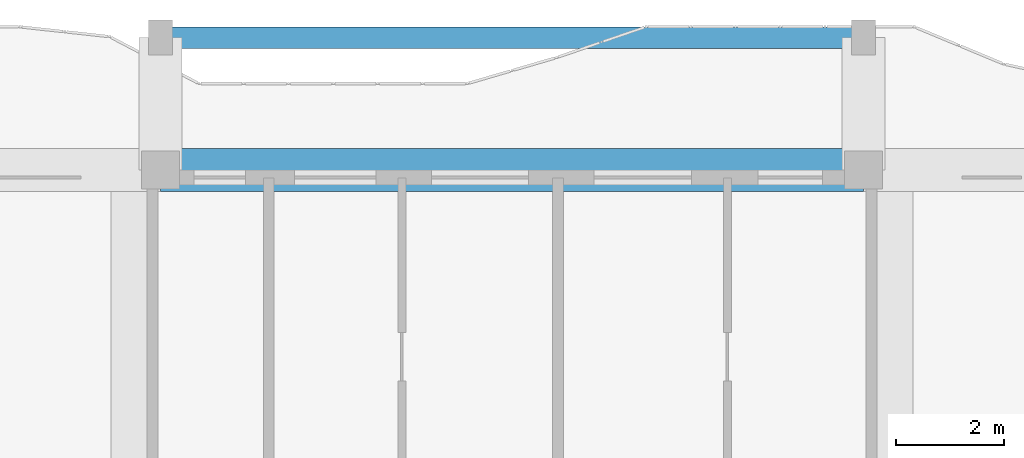
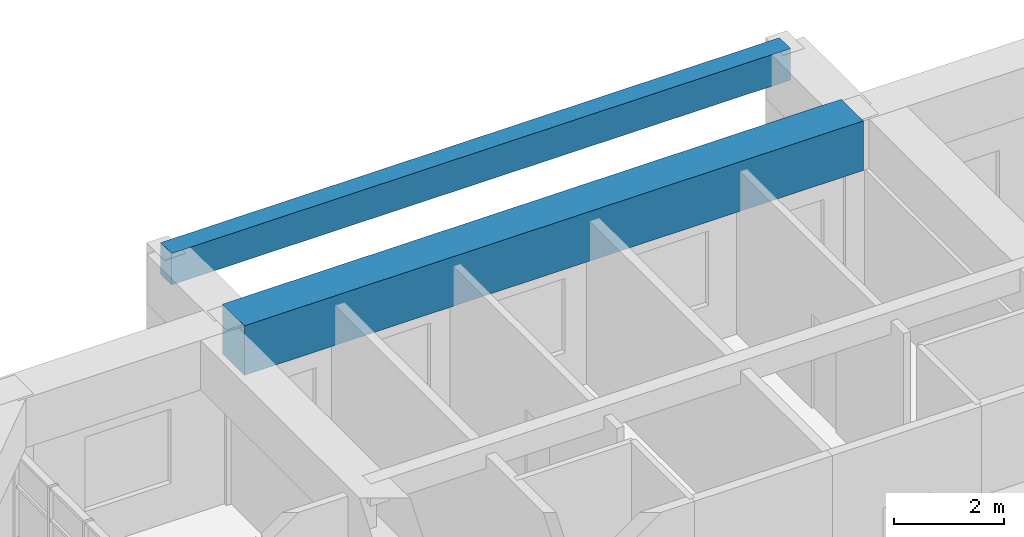
# One storey, part 11 of 27: 2 beams.
"""IFC4 building model written with IfcOpenShell, lengths in metres."""

from ifc_helpers import new_model, si_unit, direction, frame, origin, origin_2d, place, context, subcontext, project, spatial, rectangle, extrude, source, transform, mapped, material, material_profile, profile_set, type_object, element, save


model = new_model("IFC4")

# Units and contexts
model_context = context("Model", 3, precision=1e-05, world=origin(), true_north=direction((0.0, 1.0)))
body_context = subcontext(model_context, "Body", "Model", "MODEL_VIEW")
ifc_project = project(units=[si_unit("LENGTHUNIT", "METRE"), si_unit("AREAUNIT", "SQUARE_METRE"), si_unit("VOLUMEUNIT", "CUBIC_METRE"), si_unit("PLANEANGLEUNIT", "RADIAN"), si_unit("MASSUNIT", "GRAM", prefix="KILO")], contexts=[model_context])

# Site, building, storey
site_placement = place(None, origin())
site = spatial("IfcSite", under=ifc_project, at=site_placement, CompositionType="ELEMENT")
building_placement = place(site_placement, origin())
building = spatial("IfcBuilding", under=site, at=building_placement, Name="Saelheon Loggia Tower", CompositionType="ELEMENT")
storey_placement = place(building_placement, frame((0.0, 0.0, 226.199951171875)))
storey = spatial("IfcBuildingStorey", under=building, at=storey_placement, Name="L70", CompositionType="ELEMENT", Elevation=226.199951171875)

# Beams
ifc_material_1 = material(Name="Concrete C50/60", Category="concrete")
ifc_material_profile_1 = material_profile(ifc_material_1, rectangle(XDim=0.800048828125, YDim=1.10009765625, at=origin_2d()), Name="RC-800x1100")
ifc_profile_set_1 = profile_set([ifc_material_profile_1], Name="Concrete C50/60")
beam_type_1 = type_object("IfcBeamType", Name="Beam_PerimSetback_RC800x1100", PredefinedType="BEAM", material=ifc_profile_set_1)
shared_shape_1 = source(origin(), body_context, "Body", "SweptSolid", [
    extrude(rectangle(XDim=0.800048828125, YDim=1.10009765625, at=origin_2d()), origin(), (0.0, 0.0, 1.0), 13.0),
])
beam_1_placement = place(storey_placement, frame((44.5, 48.0, 3.35009765625), z_axis=(-1.0, 0.0, 0.0), x_axis=(0.0, -1.0, 0.0)))
element("IfcBeam", 1, at=beam_1_placement, inside=storey, type_object=beam_type_1, Name="L70 Perimeter Frame Girder 10", PredefinedType="BEAM", context=body_context, shape_type="MappedRepresentation", body=[
    mapped(shared_shape_1, transform((0.0, 0.0, 0.0), scale=1.0)),
])
ifc_material_2 = material(Name="Precast Concrete C45/55", Category="concrete")
ifc_material_profile_2 = material_profile(ifc_material_2, rectangle(XDim=0.39990234375, YDim=0.699951171875, at=origin_2d()), Name="RC-400x700")
ifc_profile_set_2 = profile_set([ifc_material_profile_2], Name="Precast Concrete C45/55")
beam_type_2 = type_object("IfcBeamType", Name="Beam_LoggiaSpandrel_RC400x700", PredefinedType="SPANDREL", material=ifc_profile_set_2)
shared_shape_2 = source(origin(), body_context, "Body", "SweptSolid", [
    extrude(rectangle(XDim=0.39990234375, YDim=0.699951171875, at=origin_2d()), origin(), (0.0, 0.0, 1.0), 13.0),
])
beam_2_placement = place(storey_placement, frame((31.5, 50.449951171875, 3.550048828125), z_axis=(1.0, 0.0, 0.0), x_axis=(0.0, 1.0, 0.0)))
element("IfcBeam", 2, at=beam_2_placement, inside=storey, type_object=beam_type_2, Name="L70 Loggia Spandrel Beam N", PredefinedType="SPANDREL", context=body_context, shape_type="MappedRepresentation", body=[
    mapped(shared_shape_2, transform((0.0, 0.0, 0.0), scale=1.0)),
])

save(model, "model.ifc")
